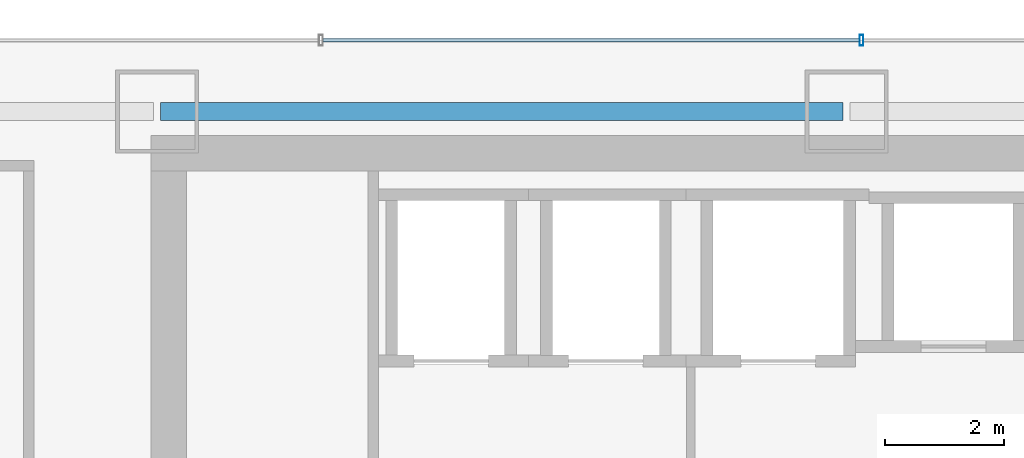
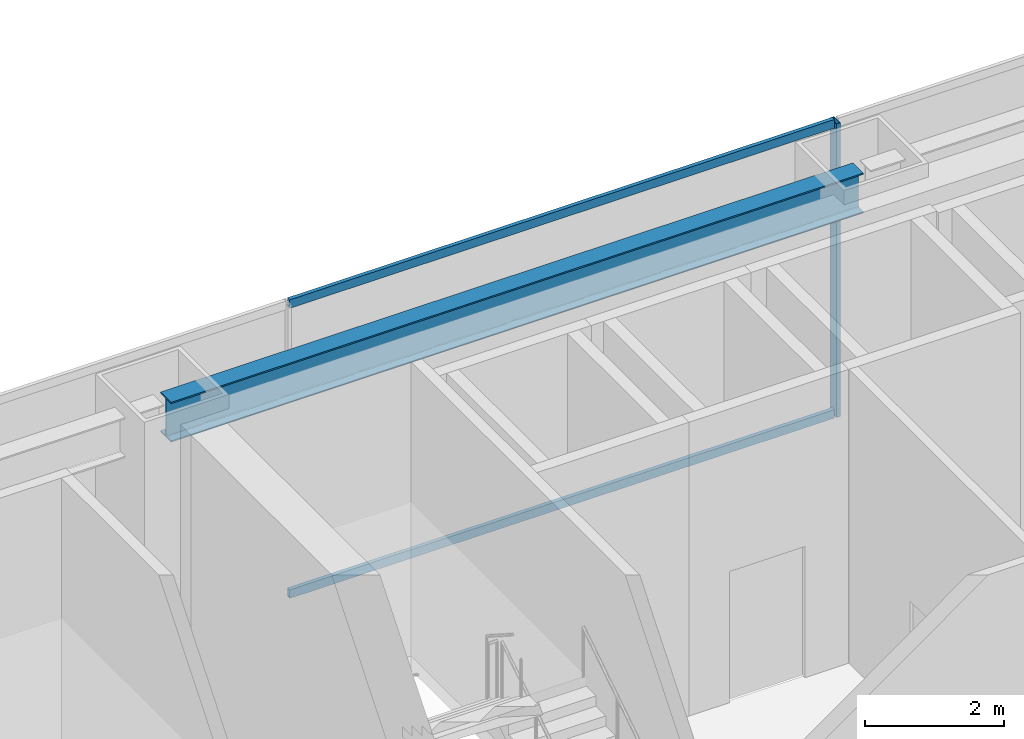
# One storey, part 14 of 29: 3 members, 1 beam, 1 element without a shape of its own.
"""IFC4 building model written with IfcOpenShell, lengths in metres."""

from ifc_helpers import new_model, si_unit, direction, frame, origin, origin_2d, place, context, subcontext, project, spatial, hollow_rectangle, i_section, extrude, material, material_profile, profile_set, type_object, element, aggregate, save


model = new_model("IFC4")

# Units and contexts
model_context = context("Model", 3, precision=1e-05, world=origin(), true_north=direction((0.0, 1.0)))
body_context = subcontext(model_context, "Body", "Model", "MODEL_VIEW")
ifc_project = project(units=[si_unit("LENGTHUNIT", "METRE"), si_unit("AREAUNIT", "SQUARE_METRE"), si_unit("VOLUMEUNIT", "CUBIC_METRE"), si_unit("PLANEANGLEUNIT", "RADIAN"), si_unit("MASSUNIT", "GRAM", prefix="KILO")], contexts=[model_context])

# Site, building, storey
site_placement = place(None, origin())
site = spatial("IfcSite", under=ifc_project, at=site_placement, CompositionType="ELEMENT")
building_placement = place(site_placement, origin())
building = spatial("IfcBuilding", under=site, at=building_placement, Name="Saevonmaru Cultural Tower", CompositionType="ELEMENT")
storey_placement = place(building_placement, frame((0.0, 0.0, 27.60009765625)))
storey = spatial("IfcBuildingStorey", under=building, at=storey_placement, Name="L05", CompositionType="ELEMENT", Elevation=27.60009765625)

# Beam
ifc_material_1 = material(Name="Steel SM355", Category="steel")
ifc_material_profile_1 = material_profile(ifc_material_1, i_section(OverallWidth=0.300048828125, OverallDepth=0.699951171875, WebThickness=0.012939453125, FlangeThickness=0.02392578125, FilletRadius=0.02587890625, at=origin_2d()), Name="H-700x300x13x24")
ifc_profile_set_1 = profile_set([ifc_material_profile_1], Name="Steel SM355")
beam_type = type_object("IfcBeamType", Name="BM-SP-H700", PredefinedType="SPANDREL", material=ifc_profile_set_1)
beam_placement = place(storey_placement, frame((13.659912109375, 54.800048828125, 4.7998046875), z_axis=(1.0, 0.0, 0.0), x_axis=(0.0, 1.0, 0.0)))
element("IfcBeam", 1, at=beam_placement, inside=storey, type_object=beam_type, Name="L05 North Spine Girder 2", PredefinedType="SPANDREL", context=body_context, shape_type="SweptSolid", body=[
    extrude(i_section(OverallWidth=0.300048828125, OverallDepth=0.699951171875, WebThickness=0.012939453125, FlangeThickness=0.02392578125, FilletRadius=0.02587890625, at=origin_2d()), origin(), (0.0, 0.0, 1.0), 11.47998046875),
])

# Curtain wall, members
ifc_material_2 = material(Name="Satin Bronze Anodised Aluminium", Category="aluminium")
curtain_wall_type = type_object("IfcCurtainWallType", Name="CW-SKY-GLZ", PredefinedType="NOTDEFINED", material=ifc_material_2)
curtain_wall_placement = place(storey_placement, origin())
curtain_wall = element("IfcCurtainWall", 2, at=curtain_wall_placement, inside=storey, type_object=curtain_wall_type, Name="L05 Unitised Curtain Wall E10", PredefinedType="NOTDEFINED")
ifc_material_profile_2 = material_profile(ifc_material_2, hollow_rectangle(XDim=0.06494140625, YDim=0.179931640625, WallThickness=0.00390625, at=origin_2d()), Name="ALU-MULL-180x65x4")
ifc_profile_set_2 = profile_set([ifc_material_profile_2], Name="Satin Bronze Anodised Aluminium")
member_type_1 = type_object("IfcMemberType", Name="ML-CW-180x65", PredefinedType="MULLION", material=ifc_profile_set_2)
member_1_placement = place(storey_placement, frame((25.451904296875, 56.0, 0.0), z_axis=(0.0, 0.0, 1.0), x_axis=(-1.0, 0.0, 0.0)))
member_1 = element("IfcMember", 3, at=member_1_placement, type_object=member_type_1, Name="CW-TW-L05-E10 mullion 4", PredefinedType="MULLION", context=body_context, shape_type="SweptSolid", body=[
    extrude(hollow_rectangle(XDim=0.06494140625, YDim=0.179931640625, WallThickness=0.00390625, at=origin_2d()), origin(), (0.0, 0.0, 1.0), 5.14990234375),
])
ifc_material_profile_3 = material_profile(ifc_material_2, hollow_rectangle(XDim=0.06494140625, YDim=0.14990234375, WallThickness=0.00390625, at=origin_2d()), Name="ALU-TRAN-150x65x4")
ifc_profile_set_3 = profile_set([ifc_material_profile_3], Name="Satin Bronze Anodised Aluminium")
member_type_2 = type_object("IfcMemberType", Name="TR-CW-150x65", PredefinedType="USERDEFINED", material=ifc_profile_set_3)
member_2_placement = place(storey_placement, frame((25.41943359375, 56.0, 0.032470703125), z_axis=(-1.0, 0.0, 0.0), x_axis=(0.0, -1.0, 0.0)))
member_2 = element("IfcMember", 4, at=member_2_placement, type_object=member_type_2, Name="CW-TW-L05-E10 transom 4.1", ObjectType="TRANSOM", PredefinedType="USERDEFINED", context=body_context, shape_type="SweptSolid", body=[
    extrude(hollow_rectangle(XDim=0.06494140625, YDim=0.14990234375, WallThickness=0.00390625, at=origin_2d()), origin(), (0.0, 0.0, 1.0), 9.031005859375),
])
member_3_placement = place(storey_placement, frame((25.41943359375, 56.0, 5.117431640625), z_axis=(-1.0, 0.0, 0.0), x_axis=(0.0, -1.0, 0.0)))
member_3 = element("IfcMember", 5, at=member_3_placement, type_object=member_type_2, Name="CW-TW-L05-E10 transom 4.2", ObjectType="TRANSOM", PredefinedType="USERDEFINED", context=body_context, shape_type="SweptSolid", body=[
    extrude(hollow_rectangle(XDim=0.06494140625, YDim=0.14990234375, WallThickness=0.00390625, at=origin_2d()), origin(), (0.0, 0.0, 1.0), 9.031005859375),
])
aggregate(curtain_wall, [member_1, member_2, member_3])

save(model, "model.ifc")
